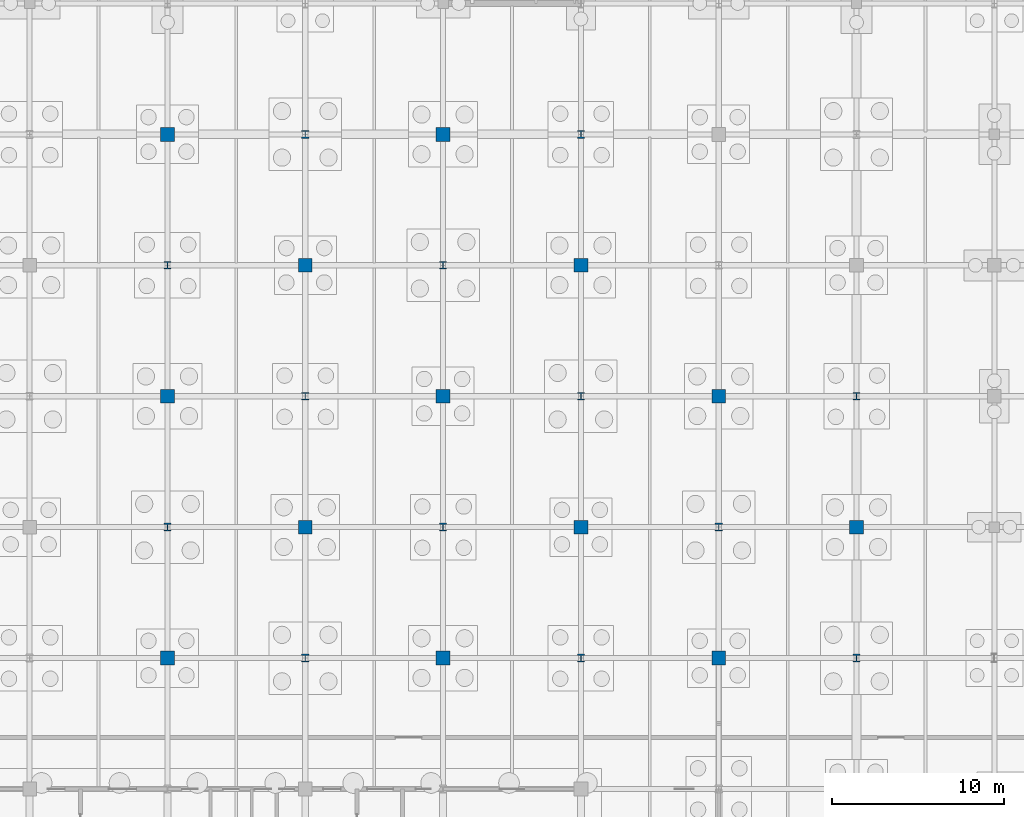
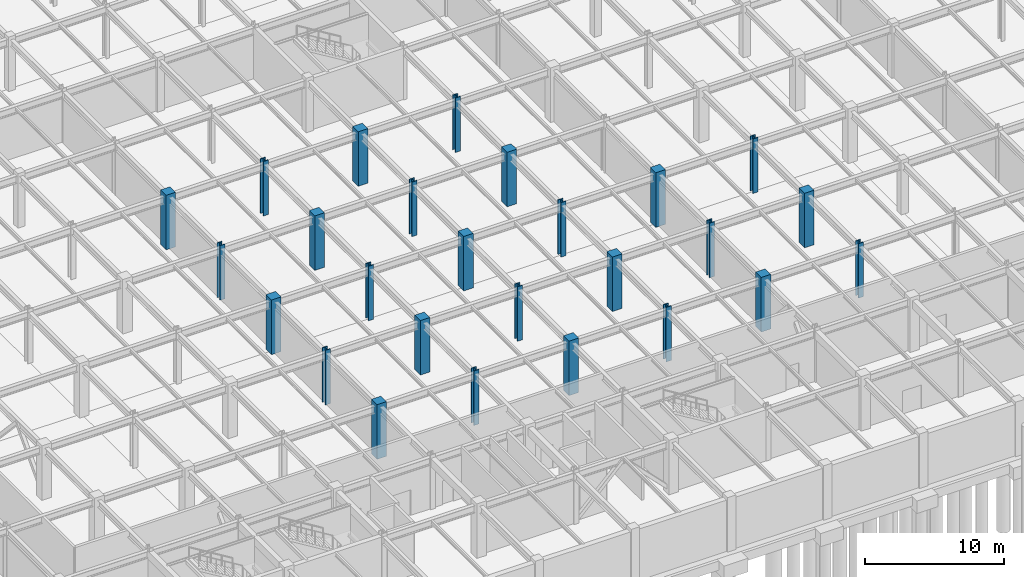
# One storey, part 15 of 53: 26 columns.
"""IFC4 building model written with IfcOpenShell, lengths in metres."""

from ifc_helpers import new_model, si_unit, direction, frame, origin, origin_2d, place, context, subcontext, project, spatial, rectangle, i_section, extrude, material, material_profile, profile_set, type_object, element, save


model = new_model("IFC4")

# Units and contexts
model_context = context("Model", 3, precision=1e-05, world=origin(), true_north=direction((0.0, 1.0)))
body_context = subcontext(model_context, "Body", "Model", "MODEL_VIEW")
ifc_project = project(units=[si_unit("LENGTHUNIT", "METRE"), si_unit("AREAUNIT", "SQUARE_METRE"), si_unit("VOLUMEUNIT", "CUBIC_METRE"), si_unit("PLANEANGLEUNIT", "RADIAN"), si_unit("MASSUNIT", "GRAM", prefix="KILO")], contexts=[model_context])

# Site, building, storey
site_placement = place(None, origin())
site = spatial("IfcSite", under=ifc_project, at=site_placement, CompositionType="ELEMENT")
building_placement = place(site_placement, origin())
building = spatial("IfcBuilding", under=site, at=building_placement, Name="Shalkamar Park Central Library", CompositionType="ELEMENT")
storey_placement = place(building_placement, frame((0.0, 0.0, -4.800048828125)))
storey = spatial("IfcBuildingStorey", under=building, at=storey_placement, Name="B1", CompositionType="ELEMENT", Elevation=-4.800048828125)

# Columns
ifc_material_1 = material(Name="Concrete C40/50", Category="concrete")
ifc_material_profile_1 = material_profile(ifc_material_1, rectangle(XDim=0.800048828125, YDim=0.800048828125, at=origin_2d()), Name="RC 800x800")
ifc_profile_set_1 = profile_set([ifc_material_profile_1], Name="Concrete C40/50")
column_type_1 = type_object("IfcColumnType", Name="Column Concrete RC800", PredefinedType="COLUMN", material=ifc_profile_set_1)
for number, where, z_axis, x_axis, name in (
    (1, (181.0, 262.800048828125, 0.0), (0.0, 0.0, 1.0), (1.0, 0.0, 0.0), "Column 09/D (B1)"),
    (2, (181.0, 278.0, 0.0), (0.0, 0.0, 1.0), (1.0, 0.0, 0.0), "Column 09/F (B1)"),
    (3, (181.0, 293.199951171875, 0.0), (0.0, 0.0, 1.0), (1.0, 0.0, 0.0), "Column 09/H (B1)"),
    (4, (189.0, 270.39990234375, 0.0), (0.0, 0.0, 1.0), (1.0, 0.0, 0.0), "Column 10/E (B1)"),
    (5, (189.0, 285.60009765625, 0.0), (0.0, 0.0, 1.0), (1.0, 0.0, 0.0), "Column 10/G (B1)"),
    (6, (197.0, 262.800048828125, 0.0), (0.0, 0.0, 1.0), (1.0, 0.0, 0.0), "Column 11/D (B1)"),
    (7, (197.0, 278.0, 0.0), (0.0, 0.0, 1.0), (1.0, 0.0, 0.0), "Column 11/F (B1)"),
    (8, (197.0, 293.199951171875, 0.0), (0.0, 0.0, 1.0), (1.0, 0.0, 0.0), "Column 11/H (B1)"),
    (9, (205.0, 270.39990234375, 0.0), (0.0, 0.0, 1.0), (1.0, 0.0, 0.0), "Column 12/E (B1)"),
    (10, (205.0, 285.60009765625, 0.0), (0.0, 0.0, 1.0), (1.0, 0.0, 0.0), "Column 12/G (B1)"),
    (11, (213.0, 262.800048828125, 0.0), (0.0, 0.0, 1.0), (1.0, 0.0, 0.0), "Column 13/D (B1)"),
    (12, (213.0, 278.0, 0.0), (0.0, 0.0, 1.0), (1.0, 0.0, 0.0), "Column 13/F (B1)"),
    (13, (221.0, 270.39990234375, 0.0), (0.0, 0.0, 1.0), (1.0, 0.0, 0.0), "Column 14/E (B1)"),
):
    element("IfcColumn", number, at=place(storey_placement, frame(where, z_axis=z_axis, x_axis=x_axis)), inside=storey, type_object=column_type_1, Name=name, PredefinedType="COLUMN", context=body_context, shape_type="SweptSolid", body=[
        extrude(rectangle(XDim=0.800048828125, YDim=0.800048828125, at=origin_2d()), origin(), (0.0, 0.0, 1.0), 4.800048828125),
    ])
ifc_material_2 = material(Name="Steel S355", Category="steel")
ifc_material_profile_2 = material_profile(ifc_material_2, i_section(OverallWidth=0.41796875, OverallDepth=0.455078125, WebThickness=0.0419921875, FlangeThickness=0.067626953125, FilletRadius=0.014892578125, at=origin_2d()), Name="HD 400x551")
ifc_profile_set_2 = profile_set([ifc_material_profile_2], Name="Steel S355")
column_type_2 = type_object("IfcColumnType", Name="Column Steel HD400x551", PredefinedType="COLUMN", material=ifc_profile_set_2)
for number, where, z_axis, x_axis, name in (
    (14, (181.0, 270.39990234375, 0.0), (0.0, 0.0, 1.0), (1.0, 0.0, 0.0), "Column 09/E (B1)"),
    (15, (181.0, 285.60009765625, 0.0), (0.0, 0.0, 1.0), (1.0, 0.0, 0.0), "Column 09/G (B1)"),
    (16, (189.0, 262.800048828125, 0.0), (0.0, 0.0, 1.0), (1.0, 0.0, 0.0), "Column 10/D (B1)"),
    (17, (189.0, 278.0, 0.0), (0.0, 0.0, 1.0), (1.0, 0.0, 0.0), "Column 10/F (B1)"),
    (18, (189.0, 293.199951171875, 0.0), (0.0, 0.0, 1.0), (1.0, 0.0, 0.0), "Column 10/H (B1)"),
    (19, (197.0, 270.39990234375, 0.0), (0.0, 0.0, 1.0), (1.0, 0.0, 0.0), "Column 11/E (B1)"),
    (20, (197.0, 285.60009765625, 0.0), (0.0, 0.0, 1.0), (1.0, 0.0, 0.0), "Column 11/G (B1)"),
    (21, (205.0, 262.800048828125, 0.0), (0.0, 0.0, 1.0), (1.0, 0.0, 0.0), "Column 12/D (B1)"),
    (22, (205.0, 278.0, 0.0), (0.0, 0.0, 1.0), (1.0, 0.0, 0.0), "Column 12/F (B1)"),
    (23, (205.0, 293.199951171875, 0.0), (0.0, 0.0, 1.0), (1.0, 0.0, 0.0), "Column 12/H (B1)"),
    (24, (213.0, 270.39990234375, 0.0), (0.0, 0.0, 1.0), (1.0, 0.0, 0.0), "Column 13/E (B1)"),
    (25, (221.0, 262.800048828125, 0.0), (0.0, 0.0, 1.0), (1.0, 0.0, 0.0), "Column 14/D (B1)"),
    (26, (221.0, 278.0, 0.0), (0.0, 0.0, 1.0), (1.0, 0.0, 0.0), "Column 14/F (B1)"),
):
    element("IfcColumn", number, at=place(storey_placement, frame(where, z_axis=z_axis, x_axis=x_axis)), inside=storey, type_object=column_type_2, Name=name, PredefinedType="COLUMN", context=body_context, shape_type="SweptSolid", body=[
        extrude(i_section(OverallWidth=0.41796875, OverallDepth=0.455078125, WebThickness=0.0419921875, FlangeThickness=0.067626953125, FilletRadius=0.014892578125, at=origin_2d()), origin(), (0.0, 0.0, 1.0), 4.800048828125),
    ])

save(model, "model.ifc")
